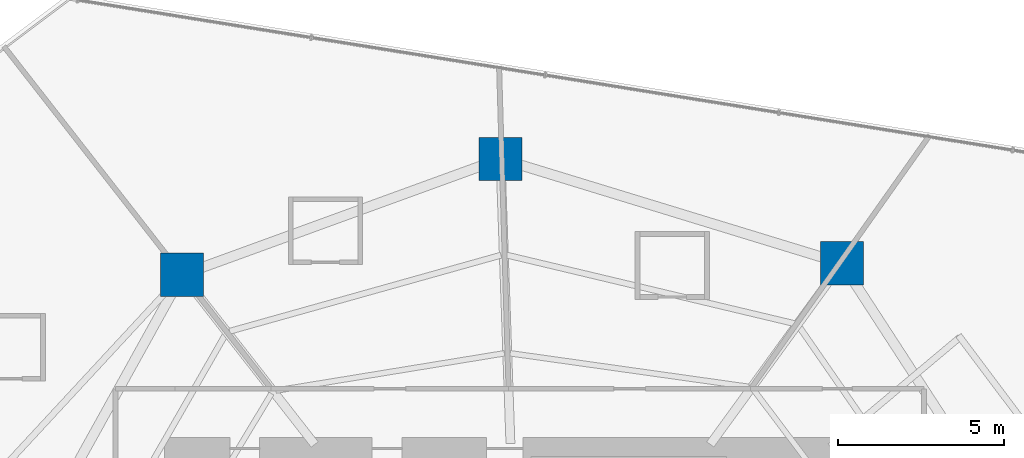
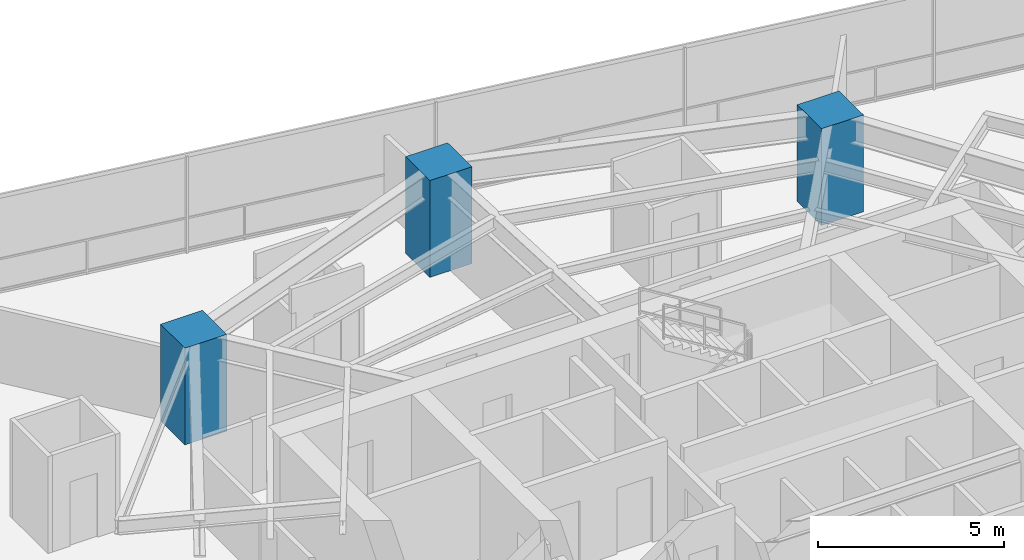
# One storey, part 2 of 31: 3 columns.
"""IFC4 building model written with IfcOpenShell, lengths in metres."""

from ifc_helpers import new_model, si_unit, direction, frame, origin, origin_2d, place, context, subcontext, project, spatial, rectangle, extrude, material, material_profile, profile_set, type_object, element, save


model = new_model("IFC4")

# Units and contexts
model_context = context("Model", 3, precision=1e-05, world=origin(), true_north=direction((0.0, 1.0)))
body_context = subcontext(model_context, "Body", "Model", "MODEL_VIEW")
ifc_project = project(units=[si_unit("LENGTHUNIT", "METRE"), si_unit("AREAUNIT", "SQUARE_METRE"), si_unit("VOLUMEUNIT", "CUBIC_METRE"), si_unit("PLANEANGLEUNIT", "RADIAN"), si_unit("MASSUNIT", "GRAM", prefix="KILO")], contexts=[model_context])

# Site, building, storey
site_placement = place(None, origin())
site = spatial("IfcSite", under=ifc_project, at=site_placement, CompositionType="ELEMENT")
building_placement = place(site_placement, origin())
building = spatial("IfcBuilding", under=site, at=building_placement, Name="Qarnah Convention Tower", CompositionType="ELEMENT")
storey_placement = place(building_placement, frame((0.0, 0.0, 33.89990234375)))
storey = spatial("IfcBuildingStorey", under=building, at=storey_placement, Name="L07", CompositionType="ELEMENT", Elevation=33.89990234375)

# Columns
ifc_material = material(Name="Concrete C60/75", Category="concrete")
ifc_material_profile = material_profile(ifc_material, rectangle(XDim=1.300048828125, YDim=1.300048828125, at=origin_2d()), Name="RC-COL-1300X1300")
ifc_profile_set = profile_set([ifc_material_profile], Name="Concrete C60/75")
column_type = type_object("IfcColumnType", Name="COL-Z1-1300", PredefinedType="COLUMN", material=ifc_profile_set)
for number, where, z_axis, x_axis, name in (
    (1, (46.927978515625, 39.7890625, 0.0), (0.0, 0.0, 1.0), (1.0, 0.0, 0.0), "L07 plumb column PC-Z1-02"),
    (2, (36.6220703125, 42.93994140625, 0.0), (0.0, 0.0, 1.0), (1.0, 0.0, 0.0), "L07 plumb column PC-Z1-03"),
    (3, (27.010986328125, 39.44189453125, 0.0), (0.0, 0.0, 1.0), (1.0, 0.0, 0.0), "L07 plumb column PC-Z1-04"),
):
    element("IfcColumn", number, at=place(storey_placement, frame(where, z_axis=z_axis, x_axis=x_axis)), inside=storey, type_object=column_type, Name=name, PredefinedType="COLUMN", context=body_context, shape_type="SweptSolid", body=[
        extrude(rectangle(XDim=1.300048828125, YDim=1.300048828125, at=origin_2d()), origin(), (0.0, 0.0, 1.0), 3.170166015625),
    ])

save(model, "model.ifc")
